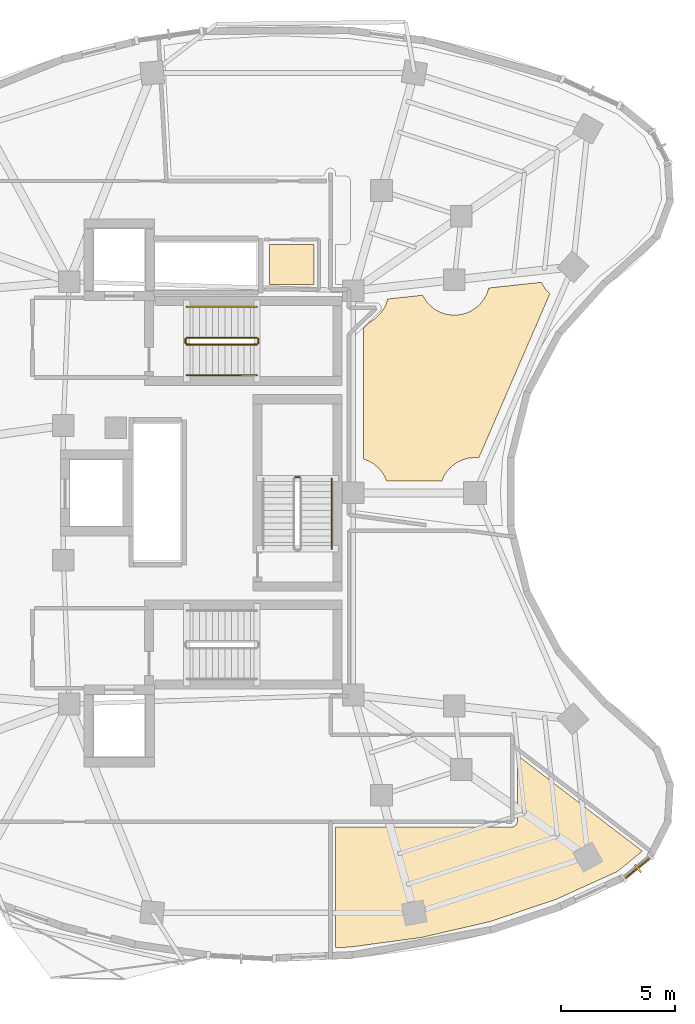
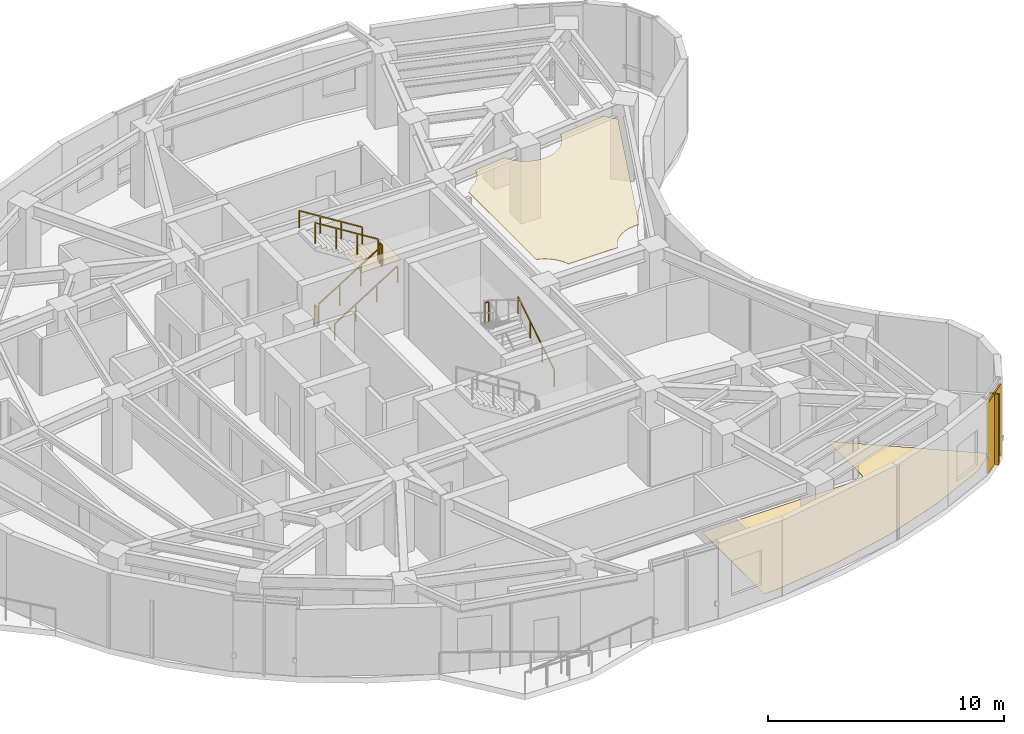
# One storey, part 12 of 13: 8 railings, 3 coverings, 2 shading devices.
"""IFC4 building model written with IfcOpenShell, lengths in metres."""

from ifc_helpers import new_model, si_unit, direction, frame, origin, origin_2d, place, context, subcontext, project, spatial, polyline, rectangle, outline, extrude, material, layer, layer_set, type_object, element, save


model = new_model("IFC4")

# Units and contexts
model_context = context("Model", 3, precision=1e-05, world=origin(), true_north=direction((0.0, 1.0)))
body_context = subcontext(model_context, "Body", "Model", "MODEL_VIEW")
ifc_project = project(units=[si_unit("LENGTHUNIT", "METRE"), si_unit("AREAUNIT", "SQUARE_METRE"), si_unit("VOLUMEUNIT", "CUBIC_METRE"), si_unit("PLANEANGLEUNIT", "RADIAN"), si_unit("MASSUNIT", "GRAM", prefix="KILO")], contexts=[model_context])

# Site, building, storey
site_placement = place(None, origin())
site = spatial("IfcSite", under=ifc_project, at=site_placement, CompositionType="ELEMENT")
building_placement = place(site_placement, origin())
building = spatial("IfcBuilding", under=site, at=building_placement, Name="Korentha Bioscience Tower", CompositionType="ELEMENT")
storey_placement = place(building_placement, frame((0.0, 0.0, 175.199951171875)))
storey = spatial("IfcBuildingStorey", under=building, at=storey_placement, Name="L40", CompositionType="ELEMENT", Elevation=175.199951171875)

# Covering
ifc_material_1 = material(Name="Vitrified Porcelain Tile", Category="ceramic")
ifc_layer_1 = layer(ifc_material_1, 0.014892578125, Name="Vitrified Porcelain Tile")
ifc_layer_set_1 = layer_set([ifc_layer_1], Name="Vitrified Porcelain Tile (FL-CER)")
covering_type_1 = type_object("IfcCoveringType", Name="Anti-Slip Ceramic Wet-Room Tile Flooring 15", PredefinedType="FLOORING", material=ifc_layer_set_1)
covering_1_placement = place(storey_placement, origin())
element("IfcCovering", 1, at=covering_1_placement, inside=storey, type_object=covering_type_1, Name="L40 Accessible Staff WC Floor Finish", PredefinedType="FLOORING", context=body_context, shape_type="SweptSolid", body=[
    extrude(outline(polyline([(33.8701171875, 36.1298828125), (33.8701171875, 37.8701171875), (35.830078125, 37.8701171875), (35.830078125, 36.1298828125), (33.8701171875, 36.1298828125)])), origin(), (0.0, 0.0, 1.0), 0.01513671875),
])

# Railings
ifc_material_2 = material(Name="Stainless Steel 304", Category="steel")
railing_type_1 = type_object("IfcRailingType", Name="Brushed Stainless Stair Handrail 900", PredefinedType="HANDRAIL", material=ifc_material_2)
railing_1_placement = place(storey_placement, frame((30.25, 32.14990234375, 0.175048828125)))
element("IfcRailing", 2, at=railing_1_placement, inside=storey, type_object=railing_type_1, Name="L40 ST-1 stair handrail 1", PredefinedType="HANDRAIL", context=body_context, shape_type="SweptSolid", body=[
    extrude(rectangle(XDim=0.048095703125, YDim=0.048095703125, at=origin_2d()), frame((0.0, 0.0, 0.8759765625), z_axis=(0.847998304005, 0.0, 0.529998940003), x_axis=(0.0, 1.0, 0.0)), (0.0, 0.0, 1.0), 3.632080078125),
    extrude(rectangle(XDim=0.0419921875, YDim=0.0419921875, at=origin_2d()), origin(), (0.0, 0.0, 1.0), 0.851806640625),
    extrude(rectangle(XDim=0.0419921875, YDim=0.0419921875, at=origin_2d()), frame((1.026611328125, 0.0, 0.6416015625)), (0.0, 0.0, 1.0), 0.851806640625),
    extrude(rectangle(XDim=0.0419921875, YDim=0.0419921875, at=origin_2d()), frame((2.053466796875, 0.0, 1.283447265625)), (0.0, 0.0, 1.0), 0.851806640625),
    extrude(rectangle(XDim=0.0419921875, YDim=0.0419921875, at=origin_2d()), frame((3.080078125, 0.0, 1.925048828125)), (0.0, 0.0, 1.0), 0.851806640625),
])
railing_2_placement = place(storey_placement, frame((33.330078125, 35.14990234375, 2.275146484375)))
element("IfcRailing", 3, at=railing_2_placement, inside=storey, type_object=railing_type_1, Name="L40 ST-1 stair handrail 2", PredefinedType="HANDRAIL", context=body_context, shape_type="SweptSolid", body=[
    extrude(rectangle(XDim=0.048095703125, YDim=0.048095703125, at=origin_2d()), frame((0.0, 0.0, 0.8759765625), z_axis=(-0.848028513186, 0.0, 0.529950602248), x_axis=(0.0, -1.0, 0.0)), (0.0, 0.0, 1.0), 3.632080078125),
    extrude(rectangle(XDim=0.0419921875, YDim=0.0419921875, at=origin_2d()), origin(), (0.0, 0.0, 1.0), 0.851806640625),
    extrude(rectangle(XDim=0.0419921875, YDim=0.0419921875, at=origin_2d()), frame((-1.026611328125, 0.0, 0.6416015625)), (0.0, 0.0, 1.0), 0.851806640625),
    extrude(rectangle(XDim=0.0419921875, YDim=0.0419921875, at=origin_2d()), frame((-2.053466796875, 0.0, 1.283203125)), (0.0, 0.0, 1.0), 0.851806640625),
    extrude(rectangle(XDim=0.0419921875, YDim=0.0419921875, at=origin_2d()), frame((-3.080078125, 0.0, 1.9248046875)), (0.0, 0.0, 1.0), 0.851806640625),
])
railing_3_placement = place(storey_placement, frame((36.60009765625, 24.550048828125, 0.175048828125)))
element("IfcRailing", 4, at=railing_3_placement, inside=storey, type_object=railing_type_1, Name="L40 ST-3 stair handrail 1", PredefinedType="HANDRAIL", context=body_context, shape_type="SweptSolid", body=[
    extrude(rectangle(XDim=0.048095703125, YDim=0.048095703125, at=origin_2d()), frame((0.0, 0.0, 0.8759765625), z_axis=(0.0, 0.847979421464, 0.530029150871), x_axis=(-1.0, 0.0, 0.0)), (0.0, 0.0, 1.0), 3.632080078125),
    extrude(rectangle(XDim=0.0419921875, YDim=0.0419921875, at=origin_2d()), origin(), (0.0, 0.0, 1.0), 0.851806640625),
    extrude(rectangle(XDim=0.0419921875, YDim=0.0419921875, at=origin_2d()), frame((0.0, 1.026611328125, 0.6416015625)), (0.0, 0.0, 1.0), 0.851806640625),
    extrude(rectangle(XDim=0.0419921875, YDim=0.0419921875, at=origin_2d()), frame((0.0, 2.05322265625, 1.283447265625)), (0.0, 0.0, 1.0), 0.851806640625),
    extrude(rectangle(XDim=0.0419921875, YDim=0.0419921875, at=origin_2d()), frame((0.0, 3.079833984375, 1.925048828125)), (0.0, 0.0, 1.0), 0.851806640625),
])

# Covering
ifc_material_3 = material(Name="Antimicrobial Mineral Fibre Board", Category="gypsum")
ifc_layer_2 = layer(ifc_material_3, 0.034912109375, Name="Antimicrobial Mineral Fibre Board")
ifc_layer_set_2 = layer_set([ifc_layer_2], Name="Antimicrobial Mineral Fibre Board (CL-MF35)")
covering_type_2 = type_object("IfcCoveringType", Name="Mineral-Fibre Cleanroom Suspended Ceiling 35", PredefinedType="CEILING", material=ifc_layer_set_2)
covering_2_placement = place(storey_placement, frame((0.0, 0.0, 3.864990234375)))
element("IfcCovering", 5, at=covering_2_placement, inside=storey, type_object=covering_type_2, Name="L40 Glassware Autoclave Wash Alcove 05 Acoustic Ceiling", PredefinedType="CEILING", context=body_context, shape_type="SweptSolid", body=[
    extrude(outline(polyline([(40.580810546875, 35.656982421875), (40.77587890625, 35.3486328125), (40.878173828125, 35.236083984375), (41.113037109375, 35.043212890625), (41.243408203125, 34.965087890625), (41.524169921875, 34.8486328125), (41.822265625, 34.78955078125), (41.97412109375, 34.781982421875), (42.1259765625, 34.78955078125), (42.424072265625, 34.8486328125), (42.704833984375, 34.965087890625), (42.95751953125, 35.1337890625), (43.070068359375, 35.236083984375), (43.262939453125, 35.470947265625), (43.406005859375, 35.73876953125), (43.47998046875, 35.972900390625), (45.774169921875, 36.222900390625), (45.969482421875, 35.91455078125), (46.15869140625, 35.722900390625), (43.048583984375, 28.540283203125), (42.8818359375, 28.550048828125), (42.57958984375, 28.520263671875), (42.288818359375, 28.431884765625), (42.020751953125, 28.288818359375), (41.785888671875, 28.095947265625), (41.68359375, 27.9833984375), (41.514892578125, 27.730712890625), (41.423583984375, 27.52001953125), (39.00830078125, 27.52001953125), (38.9169921875, 27.730712890625), (38.8388671875, 27.861083984375), (38.64599609375, 28.095947265625), (38.4111328125, 28.288818359375), (38.28076171875, 28.366943359375), (37.989990234375, 28.485595703125), (37.989990234375, 34.20849609375), (38.27099609375, 34.478515625), (38.533203125, 34.65185546875), (38.748291015625, 34.86669921875), (38.9169921875, 35.119384765625), (38.98193359375, 35.2568359375), (39.055908203125, 35.490966796875), (40.580810546875, 35.656982421875)])), origin(), (0.0, 0.0, 1.0), 0.03515625),
])

# Railings
ifc_material_4 = material(Name="Painted Steel S275", Category="steel")
railing_type_2 = type_object("IfcRailingType", Name="Painted Steel Stair Well Guardrail 1100", PredefinedType="GUARDRAIL", material=ifc_material_4)
railing_4_placement = place(storey_placement, frame((30.25, 33.5, 0.175048828125)))
element("IfcRailing", 6, at=railing_4_placement, inside=storey, type_object=railing_type_2, Name="L40 ST-1 stair guard 1", PredefinedType="GUARDRAIL", context=body_context, shape_type="SweptSolid", body=[
    extrude(rectangle(XDim=0.048095703125, YDim=0.048095703125, at=origin_2d()), frame((0.0, 0.0, 1.076171875), z_axis=(0.847998304005, 0.0, 0.529998940003), x_axis=(0.0, 1.0, 0.0)), (0.0, 0.0, 1.0), 3.632080078125),
    extrude(rectangle(XDim=0.0419921875, YDim=0.0419921875, at=origin_2d()), origin(), (0.0, 0.0, 1.0), 1.052001953125),
    extrude(rectangle(XDim=0.0419921875, YDim=0.0419921875, at=origin_2d()), frame((1.026611328125, 0.0, 0.6416015625)), (0.0, 0.0, 1.0), 1.052001953125),
    extrude(rectangle(XDim=0.0419921875, YDim=0.0419921875, at=origin_2d()), frame((2.053466796875, 0.0, 1.283447265625)), (0.0, 0.0, 1.0), 1.052001953125),
    extrude(rectangle(XDim=0.0419921875, YDim=0.0419921875, at=origin_2d()), frame((3.080078125, 0.0, 1.925048828125)), (0.0, 0.0, 1.0), 1.052001953125),
])
railing_5_placement = place(storey_placement, frame((33.3798828125, 33.550048828125, 2.10009765625)))
element("IfcRailing", 7, at=railing_5_placement, inside=storey, type_object=railing_type_2, Name="L40 ST-1 stair guard 2", PredefinedType="GUARDRAIL", context=body_context, shape_type="SweptSolid", body=[
    extrude(rectangle(XDim=0.048095703125, YDim=0.048095703125, at=origin_2d()), frame((0.0, 0.0, 1.076171875), z_axis=(0.0, 1.0, 0.0), x_axis=(-1.0, 0.0, 0.0)), (0.0, 0.0, 1.0), 0.199951171875),
    extrude(rectangle(XDim=0.0419921875, YDim=0.0419921875, at=origin_2d()), origin(), (0.0, 0.0, 1.0), 1.052001953125),
    extrude(rectangle(XDim=0.0419921875, YDim=0.0419921875, at=origin_2d()), frame((0.0, 0.199951171875, 0.0)), (0.0, 0.0, 1.0), 1.052001953125),
])
railing_6_placement = place(storey_placement, frame((33.330078125, 33.800048828125, 2.275146484375)))
element("IfcRailing", 8, at=railing_6_placement, inside=storey, type_object=railing_type_2, Name="L40 ST-1 stair guard 3", PredefinedType="GUARDRAIL", context=body_context, shape_type="SweptSolid", body=[
    extrude(rectangle(XDim=0.048095703125, YDim=0.048095703125, at=origin_2d()), frame((0.0, 0.0, 1.076171875), z_axis=(-0.848028513186, 0.0, 0.529950602248), x_axis=(0.0, -1.0, 0.0)), (0.0, 0.0, 1.0), 3.632080078125),
    extrude(rectangle(XDim=0.0419921875, YDim=0.0419921875, at=origin_2d()), origin(), (0.0, 0.0, 1.0), 1.052001953125),
    extrude(rectangle(XDim=0.0419921875, YDim=0.0419921875, at=origin_2d()), frame((-1.026611328125, 0.0, 0.6416015625)), (0.0, 0.0, 1.0), 1.052001953125),
    extrude(rectangle(XDim=0.0419921875, YDim=0.0419921875, at=origin_2d()), frame((-2.053466796875, 0.0, 1.283203125)), (0.0, 0.0, 1.0), 1.052001953125),
    extrude(rectangle(XDim=0.0419921875, YDim=0.0419921875, at=origin_2d()), frame((-3.080078125, 0.0, 1.9248046875)), (0.0, 0.0, 1.0), 1.052001953125),
])
railing_7_placement = place(storey_placement, frame((30.199951171875, 33.550048828125, 0.0)))
element("IfcRailing", 9, at=railing_7_placement, inside=storey, type_object=railing_type_2, Name="L40 ST-1 stair guard 4", PredefinedType="GUARDRAIL", context=body_context, shape_type="SweptSolid", body=[
    extrude(rectangle(XDim=0.048095703125, YDim=0.048095703125, at=origin_2d()), frame((0.0, 0.0, 1.076171875), z_axis=(0.0, 1.0, 0.0), x_axis=(-1.0, 0.0, 0.0)), (0.0, 0.0, 1.0), 0.199951171875),
    extrude(rectangle(XDim=0.0419921875, YDim=0.0419921875, at=origin_2d()), origin(), (0.0, 0.0, 1.0), 1.052001953125),
    extrude(rectangle(XDim=0.0419921875, YDim=0.0419921875, at=origin_2d()), frame((0.0, 0.199951171875, 0.0)), (0.0, 0.0, 1.0), 1.052001953125),
])
railing_8_placement = place(storey_placement, frame((35.199951171875, 27.679931640625, 2.10009765625)))
element("IfcRailing", 10, at=railing_8_placement, inside=storey, type_object=railing_type_2, Name="L40 ST-3 stair guard 2", PredefinedType="GUARDRAIL", context=body_context, shape_type="SweptSolid", body=[
    extrude(rectangle(XDim=0.048095703125, YDim=0.048095703125, at=origin_2d()), frame((0.0, 0.0, 1.076171875), z_axis=(-1.0, 0.0, 0.0), x_axis=(0.0, -1.0, 0.0)), (0.0, 0.0, 1.0), 0.199951171875),
    extrude(rectangle(XDim=0.0419921875, YDim=0.0419921875, at=origin_2d()), origin(), (0.0, 0.0, 1.0), 1.052001953125),
    extrude(rectangle(XDim=0.0419921875, YDim=0.0419921875, at=origin_2d()), frame((-0.199951171875, 0.0, 0.0)), (0.0, 0.0, 1.0), 1.052001953125),
])

# Shading device
ifc_material_5 = material(Name="Perforated Stone-Ceramic Composite", Category="masonry")
ifc_layer_3 = layer(ifc_material_5, 0.06494140625, Name="Perforated Stone-Ceramic Composite")
ifc_layer_set_3 = layer_set([ifc_layer_3], Name="Perforated Stone-Ceramic Composite (CS-01)")
shading_device_type_1 = type_object("IfcShadingDeviceType", Name="Perforated Stone-Ceramic Solar Screen Panel 65", PredefinedType="USERDEFINED", material=ifc_layer_set_3)
shading_device_1_placement = place(storey_placement, frame((50.002197265625, 10.56005859375, 0.0), z_axis=(0.0, 0.0, 1.0), x_axis=(0.77425646139, 0.632871971251, 0.0)))
element("IfcShadingDevice", 11, at=shading_device_1_placement, inside=storey, type_object=shading_device_type_1, Name="CW-L40-37 Perforated Stone-Ceramic Solar Screen", ObjectType="SCREEN", PredefinedType="USERDEFINED", context=body_context, shape_type="SweptSolid", body=[
    extrude(rectangle(XDim=1.591796875, YDim=0.06494140625, at=origin_2d()), origin(), (0.0, 0.0, 1.0), 3.64990234375),
])

# Covering
ifc_material_6 = material(Name="Chemical-Resistant Epoxy Resin", Category="polymer")
ifc_layer_4 = layer(ifc_material_6, 0.011962890625, Name="Chemical-Resistant Epoxy Resin")
ifc_layer_set_4 = layer_set([ifc_layer_4], Name="Chemical-Resistant Epoxy Resin (FL-EPX)")
covering_type_3 = type_object("IfcCoveringType", Name="Seamless Epoxy Laboratory Flooring 12", PredefinedType="FLOORING", material=ifc_layer_set_4)
covering_3_placement = place(storey_placement, origin())
element("IfcCovering", 12, at=covering_3_placement, inside=storey, type_object=covering_type_3, Name="L40 Biomechanical Motion Analysis Lab 03 Floor Finish", PredefinedType="FLOORING", context=body_context, shape_type="SweptSolid", body=[
    extrude(outline(polyline([(43.5419921875, 8.224853515625), (40.5166015625, 7.523681640625), (37.402099609375, 7.106201171875), (36.778076171875, 7.081298828125), (36.778076171875, 12.3701171875), (44.5, 12.3701171875), (44.577880859375, 12.383544921875), (44.68505859375, 12.46337890625), (44.729736328125, 12.589111328125), (44.72998046875, 15.509765625), (50.2060546875, 11.307861328125), (49.114013671875, 10.415283203125), (46.433837890625, 9.19921875), (43.5419921875, 8.224853515625)])), origin(), (0.0, 0.0, 1.0), 0.011962890625),
])

# Shading device
ifc_material_7 = material(Name="Honed Travertine Limestone", Category="masonry")
ifc_layer_5 = layer(ifc_material_7, 0.080078125, Name="Honed Travertine Limestone")
ifc_layer_set_5 = layer_set([ifc_layer_5], Name="Honed Travertine Limestone (CS-02)")
shading_device_type_2 = type_object("IfcShadingDeviceType", Name="Vertical Honed Limestone Sunshade Fin 80x420", PredefinedType="USERDEFINED", material=ifc_layer_set_5)
shading_device_2_placement = place(storey_placement, frame((50.0146484375, 10.54443359375, 0.0), z_axis=(0.0, 0.0, 1.0), x_axis=(0.77425646139, 0.632871971251, 0.0)))
element("IfcShadingDevice", 13, at=shading_device_2_placement, inside=storey, type_object=shading_device_type_2, Name="CW-L40-37 Limestone Sunshade Fin", ObjectType="SCREEN", PredefinedType="USERDEFINED", context=body_context, shape_type="SweptSolid", body=[
    extrude(rectangle(XDim=0.080078125, YDim=0.419921875, at=origin_2d()), origin(), (0.0, 0.0, 1.0), 3.64990234375),
])

save(model, "model.ifc")
